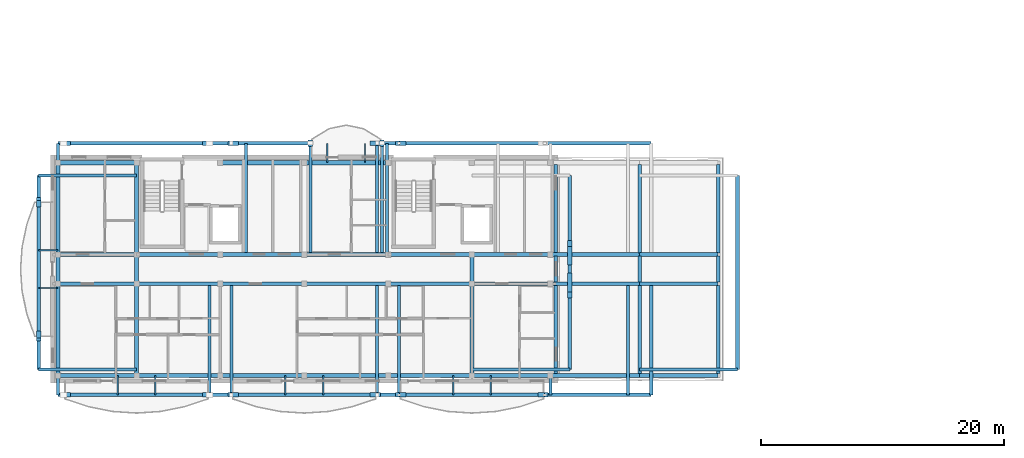
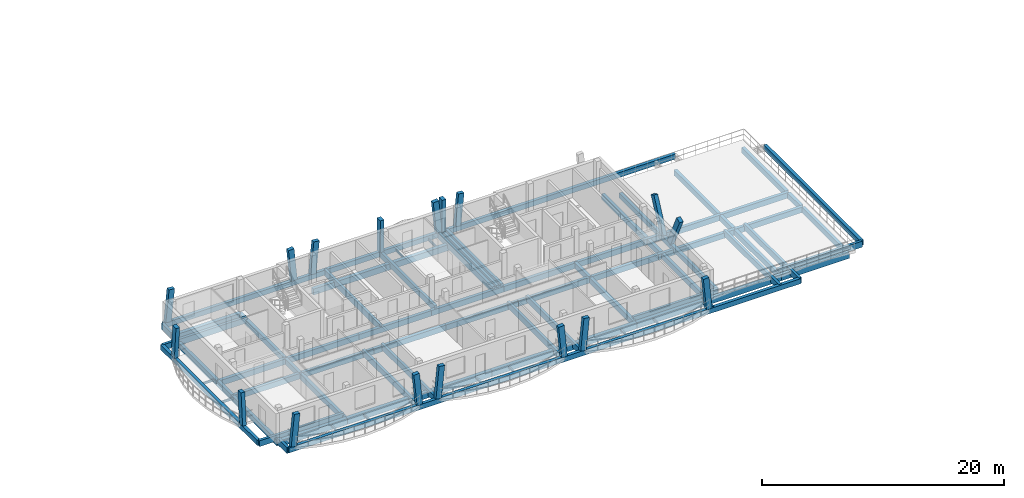
# One storey, part 3 of 33: 77 beams, 17 members.
"""IFC4 building model written with IfcOpenShell, lengths in metres."""

from ifc_helpers import new_model, si_unit, direction, frame, origin, origin_2d, place, context, subcontext, project, spatial, rectangle, i_section, extrude, material, material_profile, profile_set, type_object, element, save


model = new_model("IFC4")

# Units and contexts
model_context = context("Model", 3, precision=1e-05, world=origin(), true_north=direction((0.0, 1.0)))
body_context = subcontext(model_context, "Body", "Model", "MODEL_VIEW")
ifc_project = project(units=[si_unit("LENGTHUNIT", "METRE"), si_unit("AREAUNIT", "SQUARE_METRE"), si_unit("VOLUMEUNIT", "CUBIC_METRE"), si_unit("PLANEANGLEUNIT", "RADIAN"), si_unit("MASSUNIT", "GRAM", prefix="KILO")], contexts=[model_context])

# Site, building, storey
site_placement = place(None, origin())
site = spatial("IfcSite", under=ifc_project, at=site_placement, CompositionType="ELEMENT")
building_placement = place(site_placement, origin())
building = spatial("IfcBuilding", under=site, at=building_placement, Name="Zavelmont Quarter", CompositionType="ELEMENT")
storey_placement = place(building_placement, frame((0.0, 0.0, 30.39990234375)))
storey = spatial("IfcBuildingStorey", under=building, at=storey_placement, Name="L09", CompositionType="ELEMENT", Elevation=30.39990234375)

# Beams
ifc_material_1 = material(Name="Concrete C35/45", Category="concrete")
ifc_material_profile_1 = material_profile(ifc_material_1, rectangle(XDim=0.35009765625, YDim=0.60009765625, at=origin_2d()), Name="RC350X600")
ifc_profile_set_1 = profile_set([ifc_material_profile_1], Name="Concrete C35/45")
beam_type_1 = type_object("IfcBeamType", Name="BM01", PredefinedType="SPANDREL", material=ifc_profile_set_1)
beam_1_placement = place(storey_placement, frame((0.43994140625, 0.43994140625, -0.539794921875), z_axis=(1.0, 0.0, 0.0), x_axis=(0.0, 1.0, 0.0)))
element("IfcBeam", 1, at=beam_1_placement, inside=storey, type_object=beam_type_1, Name="L09 beam BM01 1/A to 2/A", PredefinedType="SPANDREL", context=body_context, shape_type="SweptSolid", body=[
    extrude(rectangle(XDim=0.35009765625, YDim=0.60009765625, at=origin_2d()), origin(), (0.0, 0.0, 1.0), 6.4599609375),
])
beam_2_placement = place(storey_placement, frame((6.89990234375, 0.43994140625, -0.539794921875), z_axis=(1.0, 0.0, 0.0), x_axis=(0.0, 1.0, 0.0)))
element("IfcBeam", 2, at=beam_2_placement, inside=storey, type_object=beam_type_1, Name="L09 beam BM01 2/A to 3/A", PredefinedType="SPANDREL", context=body_context, shape_type="SweptSolid", body=[
    extrude(rectangle(XDim=0.35009765625, YDim=0.60009765625, at=origin_2d()), origin(), (0.0, 0.0, 1.0), 6.900146484375),
])
beam_3_placement = place(storey_placement, frame((13.800048828125, 0.43994140625, -0.539794921875), z_axis=(1.0, 0.0, 0.0), x_axis=(0.0, 1.0, 0.0)))
element("IfcBeam", 3, at=beam_3_placement, inside=storey, type_object=beam_type_1, Name="L09 beam BM01 3/A to 4/A", PredefinedType="SPANDREL", context=body_context, shape_type="SweptSolid", body=[
    extrude(rectangle(XDim=0.35009765625, YDim=0.60009765625, at=origin_2d()), origin(), (0.0, 0.0, 1.0), 6.89990234375),
])
beam_4_placement = place(storey_placement, frame((20.699951171875, 0.43994140625, -0.539794921875), z_axis=(1.0, 0.0, 0.0), x_axis=(0.0, 1.0, 0.0)))
element("IfcBeam", 4, at=beam_4_placement, inside=storey, type_object=beam_type_1, Name="L09 beam BM01 4/A to 5/A", PredefinedType="SPANDREL", context=body_context, shape_type="SweptSolid", body=[
    extrude(rectangle(XDim=0.35009765625, YDim=0.60009765625, at=origin_2d()), origin(), (0.0, 0.0, 1.0), 6.900146484375),
])
beam_5_placement = place(storey_placement, frame((27.60009765625, 0.43994140625, -0.539794921875), z_axis=(1.0, 0.0, 0.0), x_axis=(0.0, 1.0, 0.0)))
element("IfcBeam", 5, at=beam_5_placement, inside=storey, type_object=beam_type_1, Name="L09 beam BM01 5/A to 6/A", PredefinedType="SPANDREL", context=body_context, shape_type="SweptSolid", body=[
    extrude(rectangle(XDim=0.35009765625, YDim=0.60009765625, at=origin_2d()), origin(), (0.0, 0.0, 1.0), 6.89990234375),
])
beam_6_placement = place(storey_placement, frame((34.5, 0.43994140625, -0.539794921875), z_axis=(1.0, 0.0, 0.0), x_axis=(0.0, 1.0, 0.0)))
element("IfcBeam", 6, at=beam_6_placement, inside=storey, type_object=beam_type_1, Name="L09 beam BM01 6/A to 7/A", PredefinedType="SPANDREL", context=body_context, shape_type="SweptSolid", body=[
    extrude(rectangle(XDim=0.35009765625, YDim=0.60009765625, at=origin_2d()), origin(), (0.0, 0.0, 1.0), 6.4599609375),
])
beam_7_placement = place(storey_placement, frame((40.9599609375, 0.43994140625, -0.539794921875), z_axis=(1.0, 0.0, 0.0), x_axis=(0.0, 1.0, 0.0)))
element("IfcBeam", 7, at=beam_7_placement, inside=storey, type_object=beam_type_1, Name="L09 beam BM01 7/A to 8/A", PredefinedType="SPANDREL", context=body_context, shape_type="SweptSolid", body=[
    extrude(rectangle(XDim=0.35009765625, YDim=0.60009765625, at=origin_2d()), origin(), (0.0, 0.0, 1.0), 7.340087890625),
])
for number, where, z_axis, x_axis, name in (
    (8, (48.300048828125, 0.43994140625, -0.539794921875), (1.0, 0.0, 0.0), (0.0, 1.0, 0.0), "L09 beam BM01 8/A to 9/A"),
    (9, (0.43994140625, 17.9599609375, -0.539794921875), (1.0, 0.0, 0.0), (0.0, 1.0, 0.0), "L09 beam BM01 1/D to 2/D"),
):
    element("IfcBeam", number, at=place(storey_placement, frame(where, z_axis=z_axis, x_axis=x_axis)), inside=storey, type_object=beam_type_1, Name=name, PredefinedType="SPANDREL", context=body_context, shape_type="SweptSolid", body=[
        extrude(rectangle(XDim=0.35009765625, YDim=0.60009765625, at=origin_2d()), origin(), (0.0, 0.0, 1.0), 6.4599609375),
    ])
beam_8_placement = place(storey_placement, frame((13.800048828125, 17.9599609375, -0.539794921875), z_axis=(1.0, 0.0, 0.0), x_axis=(0.0, 1.0, 0.0)))
element("IfcBeam", 10, at=beam_8_placement, inside=storey, type_object=beam_type_1, Name="L09 beam BM01 3/D to 4/D", PredefinedType="SPANDREL", context=body_context, shape_type="SweptSolid", body=[
    extrude(rectangle(XDim=0.35009765625, YDim=0.60009765625, at=origin_2d()), origin(), (0.0, 0.0, 1.0), 6.89990234375),
])
beam_9_placement = place(storey_placement, frame((20.699951171875, 17.9599609375, -0.539794921875), z_axis=(1.0, 0.0, 0.0), x_axis=(0.0, 1.0, 0.0)))
element("IfcBeam", 11, at=beam_9_placement, inside=storey, type_object=beam_type_1, Name="L09 beam BM01 4/D to 5/D", PredefinedType="SPANDREL", context=body_context, shape_type="SweptSolid", body=[
    extrude(rectangle(XDim=0.35009765625, YDim=0.60009765625, at=origin_2d()), origin(), (0.0, 0.0, 1.0), 6.900146484375),
])
ifc_material_profile_2 = material_profile(ifc_material_1, rectangle(XDim=0.300048828125, YDim=0.550048828125, at=origin_2d()), Name="RC300X550")
ifc_profile_set_2 = profile_set([ifc_material_profile_2], Name="Concrete C35/45")
beam_type_2 = type_object("IfcBeamType", Name="BM02", PredefinedType="SPANDREL", material=ifc_profile_set_2)
beam_10_placement = place(storey_placement, frame((0.43994140625, 8.0, -0.514892578125), z_axis=(1.0, 0.0, 0.0), x_axis=(0.0, 1.0, 0.0)))
element("IfcBeam", 12, at=beam_10_placement, inside=storey, type_object=beam_type_2, Name="L09 beam BM02 1/B to 2/B", PredefinedType="SPANDREL", context=body_context, shape_type="SweptSolid", body=[
    extrude(rectangle(XDim=0.300048828125, YDim=0.550048828125, at=origin_2d()), origin(), (0.0, 0.0, 1.0), 6.4599609375),
])
beam_11_placement = place(storey_placement, frame((6.89990234375, 8.0, -0.514892578125), z_axis=(1.0, 0.0, 0.0), x_axis=(0.0, 1.0, 0.0)))
element("IfcBeam", 13, at=beam_11_placement, inside=storey, type_object=beam_type_2, Name="L09 beam BM02 2/B to 3/B", PredefinedType="SPANDREL", context=body_context, shape_type="SweptSolid", body=[
    extrude(rectangle(XDim=0.300048828125, YDim=0.550048828125, at=origin_2d()), origin(), (0.0, 0.0, 1.0), 6.900146484375),
])
beam_12_placement = place(storey_placement, frame((13.800048828125, 8.0, -0.514892578125), z_axis=(1.0, 0.0, 0.0), x_axis=(0.0, 1.0, 0.0)))
element("IfcBeam", 14, at=beam_12_placement, inside=storey, type_object=beam_type_2, Name="L09 beam BM02 3/B to 4/B", PredefinedType="SPANDREL", context=body_context, shape_type="SweptSolid", body=[
    extrude(rectangle(XDim=0.300048828125, YDim=0.550048828125, at=origin_2d()), origin(), (0.0, 0.0, 1.0), 6.89990234375),
])
beam_13_placement = place(storey_placement, frame((20.699951171875, 8.0, -0.514892578125), z_axis=(1.0, 0.0, 0.0), x_axis=(0.0, 1.0, 0.0)))
element("IfcBeam", 15, at=beam_13_placement, inside=storey, type_object=beam_type_2, Name="L09 beam BM02 4/B to 5/B", PredefinedType="SPANDREL", context=body_context, shape_type="SweptSolid", body=[
    extrude(rectangle(XDim=0.300048828125, YDim=0.550048828125, at=origin_2d()), origin(), (0.0, 0.0, 1.0), 6.900146484375),
])
beam_14_placement = place(storey_placement, frame((27.60009765625, 8.0, -0.514892578125), z_axis=(1.0, 0.0, 0.0), x_axis=(0.0, 1.0, 0.0)))
element("IfcBeam", 16, at=beam_14_placement, inside=storey, type_object=beam_type_2, Name="L09 beam BM02 5/B to 6/B", PredefinedType="SPANDREL", context=body_context, shape_type="SweptSolid", body=[
    extrude(rectangle(XDim=0.300048828125, YDim=0.550048828125, at=origin_2d()), origin(), (0.0, 0.0, 1.0), 6.89990234375),
])
beam_15_placement = place(storey_placement, frame((34.5, 8.0, -0.514892578125), z_axis=(1.0, 0.0, 0.0), x_axis=(0.0, 1.0, 0.0)))
element("IfcBeam", 17, at=beam_15_placement, inside=storey, type_object=beam_type_2, Name="L09 beam BM02 6/B to 7/B", PredefinedType="SPANDREL", context=body_context, shape_type="SweptSolid", body=[
    extrude(rectangle(XDim=0.300048828125, YDim=0.550048828125, at=origin_2d()), origin(), (0.0, 0.0, 1.0), 6.4599609375),
])
beam_16_placement = place(storey_placement, frame((40.9599609375, 8.0, -0.514892578125), z_axis=(1.0, 0.0, 0.0), x_axis=(0.0, 1.0, 0.0)))
element("IfcBeam", 18, at=beam_16_placement, inside=storey, type_object=beam_type_2, Name="L09 beam BM02 7/B to 8/B", PredefinedType="SPANDREL", context=body_context, shape_type="SweptSolid", body=[
    extrude(rectangle(XDim=0.300048828125, YDim=0.550048828125, at=origin_2d()), origin(), (0.0, 0.0, 1.0), 7.340087890625),
])
for number, where, z_axis, x_axis, name in (
    (19, (48.300048828125, 8.0, -0.514892578125), (1.0, 0.0, 0.0), (0.0, 1.0, 0.0), "L09 beam BM02 8/B to 9/B"),
    (20, (0.43994140625, 10.39990234375, -0.514892578125), (1.0, 0.0, 0.0), (0.0, 1.0, 0.0), "L09 beam BM02 1/C to 2/C"),
):
    element("IfcBeam", number, at=place(storey_placement, frame(where, z_axis=z_axis, x_axis=x_axis)), inside=storey, type_object=beam_type_2, Name=name, PredefinedType="SPANDREL", context=body_context, shape_type="SweptSolid", body=[
        extrude(rectangle(XDim=0.300048828125, YDim=0.550048828125, at=origin_2d()), origin(), (0.0, 0.0, 1.0), 6.4599609375),
    ])
beam_17_placement = place(storey_placement, frame((6.89990234375, 10.39990234375, -0.514892578125), z_axis=(1.0, 0.0, 0.0), x_axis=(0.0, 1.0, 0.0)))
element("IfcBeam", 21, at=beam_17_placement, inside=storey, type_object=beam_type_2, Name="L09 beam BM02 2/C to 3/C", PredefinedType="SPANDREL", context=body_context, shape_type="SweptSolid", body=[
    extrude(rectangle(XDim=0.300048828125, YDim=0.550048828125, at=origin_2d()), origin(), (0.0, 0.0, 1.0), 6.900146484375),
])
beam_18_placement = place(storey_placement, frame((13.800048828125, 10.39990234375, -0.514892578125), z_axis=(1.0, 0.0, 0.0), x_axis=(0.0, 1.0, 0.0)))
element("IfcBeam", 22, at=beam_18_placement, inside=storey, type_object=beam_type_2, Name="L09 beam BM02 3/C to 4/C", PredefinedType="SPANDREL", context=body_context, shape_type="SweptSolid", body=[
    extrude(rectangle(XDim=0.300048828125, YDim=0.550048828125, at=origin_2d()), origin(), (0.0, 0.0, 1.0), 6.89990234375),
])
beam_19_placement = place(storey_placement, frame((20.699951171875, 10.39990234375, -0.514892578125), z_axis=(1.0, 0.0, 0.0), x_axis=(0.0, 1.0, 0.0)))
element("IfcBeam", 23, at=beam_19_placement, inside=storey, type_object=beam_type_2, Name="L09 beam BM02 4/C to 5/C", PredefinedType="SPANDREL", context=body_context, shape_type="SweptSolid", body=[
    extrude(rectangle(XDim=0.300048828125, YDim=0.550048828125, at=origin_2d()), origin(), (0.0, 0.0, 1.0), 6.900146484375),
])
beam_20_placement = place(storey_placement, frame((27.60009765625, 10.39990234375, -0.514892578125), z_axis=(1.0, 0.0, 0.0), x_axis=(0.0, 1.0, 0.0)))
element("IfcBeam", 24, at=beam_20_placement, inside=storey, type_object=beam_type_2, Name="L09 beam BM02 5/C to 6/C", PredefinedType="SPANDREL", context=body_context, shape_type="SweptSolid", body=[
    extrude(rectangle(XDim=0.300048828125, YDim=0.550048828125, at=origin_2d()), origin(), (0.0, 0.0, 1.0), 6.89990234375),
])
beam_21_placement = place(storey_placement, frame((34.5, 10.39990234375, -0.514892578125), z_axis=(1.0, 0.0, 0.0), x_axis=(0.0, 1.0, 0.0)))
element("IfcBeam", 25, at=beam_21_placement, inside=storey, type_object=beam_type_2, Name="L09 beam BM02 6/C to 7/C", PredefinedType="SPANDREL", context=body_context, shape_type="SweptSolid", body=[
    extrude(rectangle(XDim=0.300048828125, YDim=0.550048828125, at=origin_2d()), origin(), (0.0, 0.0, 1.0), 6.4599609375),
])
beam_22_placement = place(storey_placement, frame((40.9599609375, 10.39990234375, -0.514892578125), z_axis=(1.0, 0.0, 0.0), x_axis=(0.0, 1.0, 0.0)))
element("IfcBeam", 26, at=beam_22_placement, inside=storey, type_object=beam_type_2, Name="L09 beam BM02 7/C to 8/C", PredefinedType="SPANDREL", context=body_context, shape_type="SweptSolid", body=[
    extrude(rectangle(XDim=0.300048828125, YDim=0.550048828125, at=origin_2d()), origin(), (0.0, 0.0, 1.0), 7.340087890625),
])
beam_23_placement = place(storey_placement, frame((48.300048828125, 10.39990234375, -0.514892578125), z_axis=(1.0, 0.0, 0.0), x_axis=(0.0, 1.0, 0.0)))
element("IfcBeam", 27, at=beam_23_placement, inside=storey, type_object=beam_type_2, Name="L09 beam BM02 8/C to 9/C", PredefinedType="SPANDREL", context=body_context, shape_type="SweptSolid", body=[
    extrude(rectangle(XDim=0.300048828125, YDim=0.550048828125, at=origin_2d()), origin(), (0.0, 0.0, 1.0), 6.4599609375),
])
beam_24_placement = place(storey_placement, frame((0.43994140625, 0.43994140625, -0.514892578125), z_axis=(0.0, 1.0, 0.0), x_axis=(-1.0, 0.0, 0.0)))
element("IfcBeam", 28, at=beam_24_placement, inside=storey, type_object=beam_type_2, Name="L09 beam BM02 1/A to 1/B", PredefinedType="SPANDREL", context=body_context, shape_type="SweptSolid", body=[
    extrude(rectangle(XDim=0.300048828125, YDim=0.550048828125, at=origin_2d()), origin(), (0.0, 0.0, 1.0), 7.56005859375),
])
beam_25_placement = place(storey_placement, frame((0.43994140625, 8.0, -0.514892578125), z_axis=(0.0, 1.0, 0.0), x_axis=(-1.0, 0.0, 0.0)))
element("IfcBeam", 29, at=beam_25_placement, inside=storey, type_object=beam_type_2, Name="L09 beam BM02 1/B to 1/C", PredefinedType="SPANDREL", context=body_context, shape_type="SweptSolid", body=[
    extrude(rectangle(XDim=0.300048828125, YDim=0.550048828125, at=origin_2d()), origin(), (0.0, 0.0, 1.0), 2.39990234375),
])
for number, where, z_axis, x_axis, name in (
    (30, (0.43994140625, 10.39990234375, -0.514892578125), (0.0, 1.0, 0.0), (-1.0, 0.0, 0.0), "L09 beam BM02 1/C to 1/D"),
    (31, (6.89990234375, 0.43994140625, -0.514892578125), (0.0, 1.0, 0.0), (-1.0, 0.0, 0.0), "L09 beam BM02 2/A to 2/B"),
):
    element("IfcBeam", number, at=place(storey_placement, frame(where, z_axis=z_axis, x_axis=x_axis)), inside=storey, type_object=beam_type_2, Name=name, PredefinedType="SPANDREL", context=body_context, shape_type="SweptSolid", body=[
        extrude(rectangle(XDim=0.300048828125, YDim=0.550048828125, at=origin_2d()), origin(), (0.0, 0.0, 1.0), 7.56005859375),
    ])
beam_26_placement = place(storey_placement, frame((6.89990234375, 8.0, -0.514892578125), z_axis=(0.0, 1.0, 0.0), x_axis=(-1.0, 0.0, 0.0)))
element("IfcBeam", 32, at=beam_26_placement, inside=storey, type_object=beam_type_2, Name="L09 beam BM02 2/B to 2/C", PredefinedType="SPANDREL", context=body_context, shape_type="SweptSolid", body=[
    extrude(rectangle(XDim=0.300048828125, YDim=0.550048828125, at=origin_2d()), origin(), (0.0, 0.0, 1.0), 2.39990234375),
])
for number, where, z_axis, x_axis, name in (
    (33, (6.89990234375, 10.39990234375, -0.514892578125), (0.0, 1.0, 0.0), (-1.0, 0.0, 0.0), "L09 beam BM02 2/C to 2/D"),
    (34, (34.5, 0.43994140625, -0.514892578125), (0.0, 1.0, 0.0), (-1.0, 0.0, 0.0), "L09 beam BM02 6/A to 6/B"),
):
    element("IfcBeam", number, at=place(storey_placement, frame(where, z_axis=z_axis, x_axis=x_axis)), inside=storey, type_object=beam_type_2, Name=name, PredefinedType="SPANDREL", context=body_context, shape_type="SweptSolid", body=[
        extrude(rectangle(XDim=0.300048828125, YDim=0.550048828125, at=origin_2d()), origin(), (0.0, 0.0, 1.0), 7.56005859375),
    ])
beam_27_placement = place(storey_placement, frame((34.5, 8.0, -0.514892578125), z_axis=(0.0, 1.0, 0.0), x_axis=(-1.0, 0.0, 0.0)))
element("IfcBeam", 35, at=beam_27_placement, inside=storey, type_object=beam_type_2, Name="L09 beam BM02 6/B to 6/C", PredefinedType="SPANDREL", context=body_context, shape_type="SweptSolid", body=[
    extrude(rectangle(XDim=0.300048828125, YDim=0.550048828125, at=origin_2d()), origin(), (0.0, 0.0, 1.0), 2.39990234375),
])
beam_28_placement = place(storey_placement, frame((41.39990234375, 0.60498046875, -0.514892578125), z_axis=(0.0, 1.0, 0.0), x_axis=(-1.0, 0.0, 0.0)))
element("IfcBeam", 36, at=beam_28_placement, inside=storey, type_object=beam_type_2, Name="L09 beam BM02 7/A to 7/B", PredefinedType="SPANDREL", context=body_context, shape_type="SweptSolid", body=[
    extrude(rectangle(XDim=0.300048828125, YDim=0.550048828125, at=origin_2d()), origin(), (0.0, 0.0, 1.0), 7.255126953125),
])
beam_29_placement = place(storey_placement, frame((41.39990234375, 8.139892578125, -0.514892578125), z_axis=(0.0, 1.0, 0.0), x_axis=(-1.0, 0.0, 0.0)))
element("IfcBeam", 37, at=beam_29_placement, inside=storey, type_object=beam_type_2, Name="L09 beam BM02 7/B to 7/C", PredefinedType="SPANDREL", context=body_context, shape_type="SweptSolid", body=[
    extrude(rectangle(XDim=0.300048828125, YDim=0.550048828125, at=origin_2d()), origin(), (0.0, 0.0, 1.0), 2.1201171875),
])
beam_30_placement = place(storey_placement, frame((41.39990234375, 10.5400390625, -0.514892578125), z_axis=(0.0, 1.0, 0.0), x_axis=(-1.0, 0.0, 0.0)))
element("IfcBeam", 38, at=beam_30_placement, inside=storey, type_object=beam_type_2, Name="L09 beam BM02 7/C to 7/D", PredefinedType="SPANDREL", context=body_context, shape_type="SweptSolid", body=[
    extrude(rectangle(XDim=0.300048828125, YDim=0.550048828125, at=origin_2d()), origin(), (0.0, 0.0, 1.0), 7.2548828125),
])
beam_31_placement = place(storey_placement, frame((48.300048828125, 0.60498046875, -0.514892578125), z_axis=(0.0, 1.0, 0.0), x_axis=(-1.0, 0.0, 0.0)))
element("IfcBeam", 39, at=beam_31_placement, inside=storey, type_object=beam_type_2, Name="L09 beam BM02 8/A to 8/B", PredefinedType="SPANDREL", context=body_context, shape_type="SweptSolid", body=[
    extrude(rectangle(XDim=0.300048828125, YDim=0.550048828125, at=origin_2d()), origin(), (0.0, 0.0, 1.0), 7.255126953125),
])
beam_32_placement = place(storey_placement, frame((48.300048828125, 8.139892578125, -0.514892578125), z_axis=(0.0, 1.0, 0.0), x_axis=(-1.0, 0.0, 0.0)))
element("IfcBeam", 40, at=beam_32_placement, inside=storey, type_object=beam_type_2, Name="L09 beam BM02 8/B to 8/C", PredefinedType="SPANDREL", context=body_context, shape_type="SweptSolid", body=[
    extrude(rectangle(XDim=0.300048828125, YDim=0.550048828125, at=origin_2d()), origin(), (0.0, 0.0, 1.0), 2.1201171875),
])
beam_33_placement = place(storey_placement, frame((48.300048828125, 10.5400390625, -0.514892578125), z_axis=(0.0, 1.0, 0.0), x_axis=(-1.0, 0.0, 0.0)))
element("IfcBeam", 41, at=beam_33_placement, inside=storey, type_object=beam_type_2, Name="L09 beam BM02 8/C to 8/D", PredefinedType="SPANDREL", context=body_context, shape_type="SweptSolid", body=[
    extrude(rectangle(XDim=0.300048828125, YDim=0.550048828125, at=origin_2d()), origin(), (0.0, 0.0, 1.0), 7.2548828125),
])
beam_34_placement = place(storey_placement, frame((54.760009765625, 0.60498046875, -0.514892578125), z_axis=(0.0, 1.0, 0.0), x_axis=(-1.0, 0.0, 0.0)))
element("IfcBeam", 42, at=beam_34_placement, inside=storey, type_object=beam_type_2, Name="L09 beam BM02 9/A to 9/B", PredefinedType="SPANDREL", context=body_context, shape_type="SweptSolid", body=[
    extrude(rectangle(XDim=0.300048828125, YDim=0.550048828125, at=origin_2d()), origin(), (0.0, 0.0, 1.0), 7.255126953125),
])
beam_35_placement = place(storey_placement, frame((54.760009765625, 8.139892578125, -0.514892578125), z_axis=(0.0, 1.0, 0.0), x_axis=(-1.0, 0.0, 0.0)))
element("IfcBeam", 43, at=beam_35_placement, inside=storey, type_object=beam_type_2, Name="L09 beam BM02 9/B to 9/C", PredefinedType="SPANDREL", context=body_context, shape_type="SweptSolid", body=[
    extrude(rectangle(XDim=0.300048828125, YDim=0.550048828125, at=origin_2d()), origin(), (0.0, 0.0, 1.0), 2.1201171875),
])
beam_36_placement = place(storey_placement, frame((54.760009765625, 10.5400390625, -0.514892578125), z_axis=(0.0, 1.0, 0.0), x_axis=(-1.0, 0.0, 0.0)))
element("IfcBeam", 44, at=beam_36_placement, inside=storey, type_object=beam_type_2, Name="L09 beam BM02 9/C to 9/D", PredefinedType="SPANDREL", context=body_context, shape_type="SweptSolid", body=[
    extrude(rectangle(XDim=0.300048828125, YDim=0.550048828125, at=origin_2d()), origin(), (0.0, 0.0, 1.0), 7.2548828125),
])
ifc_material_profile_3 = material_profile(ifc_material_1, rectangle(XDim=0.300048828125, YDim=0.5, at=origin_2d()), Name="RC300X500")
ifc_profile_set_3 = profile_set([ifc_material_profile_3], Name="Concrete C35/45")
beam_type_3 = type_object("IfcBeamType", Name="BM03", PredefinedType="BEAM", material=ifc_profile_set_3)
for number, where, z_axis, x_axis, name in (
    (45, (0.43994140625, -1.14990234375, -0.25), (1.0, 0.0, 0.0), (0.0, 1.0, 0.0), "L09 beam BM03 1/A to 8/A"),
    (46, (0.43994140625, 19.550048828125, -0.25), (1.0, 0.0, 0.0), (0.0, 1.0, 0.0), "L09 beam BM03 1/D to 8/D"),
):
    element("IfcBeam", number, at=place(storey_placement, frame(where, z_axis=z_axis, x_axis=x_axis)), inside=storey, type_object=beam_type_3, Name=name, PredefinedType="BEAM", context=body_context, shape_type="SweptSolid", body=[
        extrude(rectangle(XDim=0.300048828125, YDim=0.5, at=origin_2d()), origin(), (0.0, 0.0, 1.0), 48.81005859375),
    ])
for number, where, z_axis, x_axis, name in (
    (47, (-1.14990234375, 0.949951171875, -0.25), (0.0, 1.0, 0.0), (-1.0, 0.0, 0.0), "L09 beam BM03 1/A to 1/D"),
    (48, (56.35009765625, 0.949951171875, -0.25), (0.0, 1.0, 0.0), (-1.0, 0.0, 0.0), "L09 beam BM03 9/A to 9/D"),
    (49, (42.550048828125, 0.949951171875, -0.25), (0.0, 1.0, 0.0), (-1.0, 0.0, 0.0), "L09 beam BM03 7/A to 7/D"),
):
    element("IfcBeam", number, at=place(storey_placement, frame(where, z_axis=z_axis, x_axis=x_axis)), inside=storey, type_object=beam_type_3, Name=name, PredefinedType="BEAM", context=body_context, shape_type="SweptSolid", body=[
        extrude(rectangle(XDim=0.300048828125, YDim=0.5, at=origin_2d()), origin(), (0.0, 0.0, 1.0), 15.949951171875),
    ])
ifc_material_2 = material(Name="Steel S355", Category="steel")
ifc_material_profile_4 = material_profile(ifc_material_2, i_section(OverallWidth=0.110107421875, OverallDepth=0.219970703125, WebThickness=0.005859375, FlangeThickness=0.00927734375, at=origin_2d()), Name="IPE 220")
ifc_profile_set_4 = profile_set([ifc_material_profile_4], Name="Steel S355")
beam_type_4 = type_object("IfcBeamType", Name="BM15", PredefinedType="JOIST", material=ifc_profile_set_4)
for number, where, z_axis, x_axis, name in (
    (50, (5.35009765625, 0.43994140625, -0.35693359375), (0.0, -1.0, 0.0), (1.0, 0.0, 0.0), "L09 beam BM15 2/A to 2/A"),
    (51, (8.449951171875, 0.43994140625, -0.35693359375), (0.0, -1.0, 0.0), (1.0, 0.0, 0.0), "L09 beam BM15 2/A to 2/A"),
    (52, (19.14990234375, 0.43994140625, -0.351806640625), (0.0, -1.0, 0.0), (1.0, 0.0, 0.0), "L09 beam BM15 4/A to 4/A"),
    (53, (22.25, 0.43994140625, -0.351806640625), (0.0, -1.0, 0.0), (1.0, 0.0, 0.0), "L09 beam BM15 4/A to 4/A"),
    (54, (32.949951171875, 0.43994140625, -0.366943359375), (0.0, -1.0, 0.0), (1.0, 0.0, 0.0), "L09 beam BM15 6/A to 6/A"),
    (55, (36.050048828125, 0.43994140625, -0.366943359375), (0.0, -1.0, 0.0), (1.0, 0.0, 0.0), "L09 beam BM15 6/A to 6/A"),
    (56, (0.43994140625, 7.64990234375, -0.351806640625), (-1.0, 0.0, 0.0), (0.0, -1.0, 0.0), "L09 beam BM15 1/B to 1/B"),
    (57, (0.43994140625, 10.75, -0.351806640625), (-1.0, 0.0, 0.0), (0.0, -1.0, 0.0), "L09 beam BM15 1/C to 1/C"),
):
    element("IfcBeam", number, at=place(storey_placement, frame(where, z_axis=z_axis, x_axis=x_axis)), inside=storey, type_object=beam_type_4, Name=name, PredefinedType="JOIST", context=body_context, shape_type="SweptSolid", body=[
        extrude(i_section(OverallWidth=0.110107421875, OverallDepth=0.219970703125, WebThickness=0.005859375, FlangeThickness=0.00927734375, at=origin_2d()), origin(), (0.0, 0.0, 1.0), 1.58984375),
    ])
for number, where, z_axis, x_axis, name in (
    (58, (22.60009765625, 17.9599609375, -0.35693359375), (0.0, 1.0, 0.0), (-1.0, 0.0, 0.0), "L09 beam BM15 4/D to 4/D"),
    (59, (25.699951171875, 17.9599609375, -0.35693359375), (0.0, 1.0, 0.0), (-1.0, 0.0, 0.0), "L09 beam BM15 5/D to 5/D"),
):
    element("IfcBeam", number, at=place(storey_placement, frame(where, z_axis=z_axis, x_axis=x_axis)), inside=storey, type_object=beam_type_4, Name=name, PredefinedType="JOIST", context=body_context, shape_type="SweptSolid", body=[
        extrude(i_section(OverallWidth=0.110107421875, OverallDepth=0.219970703125, WebThickness=0.005859375, FlangeThickness=0.00927734375, at=origin_2d()), origin(), (0.0, 0.0, 1.0), 1.590087890625),
    ])
ifc_material_3 = material(Name="Concrete C40/50", Category="concrete")
ifc_material_profile_5 = material_profile(ifc_material_3, rectangle(XDim=0.25, YDim=0.60009765625, at=origin_2d()), Name="RC250X600")
ifc_profile_set_5 = profile_set([ifc_material_profile_5], Name="Concrete C40/50")
beam_type_5 = type_object("IfcBeamType", Name="BM18", PredefinedType="BEAM", material=ifc_profile_set_5)
beam_37_placement = place(storey_placement, frame((0.43994140625, 0.43994140625, -0.2998046875), z_axis=(0.0, -1.0, 0.0), x_axis=(1.0, 0.0, 0.0)))
element("IfcBeam", 60, at=beam_37_placement, inside=storey, type_object=beam_type_5, Name="L09 beam BM18 1/A to 1/A", PredefinedType="BEAM", context=body_context, shape_type="SweptSolid", body=[
    extrude(rectangle(XDim=0.25, YDim=0.60009765625, at=origin_2d()), origin(), (0.0, 0.0, 1.0), 1.58984375),
])
for number, where, z_axis, x_axis, name in (
    (61, (12.9033203125, 8.0, -0.2998046875), (0.0, -1.0, 0.0), (1.0, 0.0, 0.0), "L09 beam BM18 3/B to 3/A"),
    (62, (14.696533203125, 8.0, -0.2998046875), (0.0, -1.0, 0.0), (1.0, 0.0, 0.0), "L09 beam BM18 3/B to 3/A"),
    (63, (26.703369140625, 8.0, -0.2998046875), (0.0, -1.0, 0.0), (1.0, 0.0, 0.0), "L09 beam BM18 5/B to 5/A"),
    (64, (28.49658203125, 8.0, -0.2998046875), (0.0, -1.0, 0.0), (1.0, 0.0, 0.0), "L09 beam BM18 5/B to 5/A"),
):
    element("IfcBeam", number, at=place(storey_placement, frame(where, z_axis=z_axis, x_axis=x_axis)), inside=storey, type_object=beam_type_5, Name=name, PredefinedType="BEAM", context=body_context, shape_type="SweptSolid", body=[
        extrude(rectangle(XDim=0.25, YDim=0.60009765625, at=origin_2d()), origin(), (0.0, 0.0, 1.0), 9.14990234375),
    ])
beam_38_placement = place(storey_placement, frame((40.9599609375, 0.43994140625, -0.2998046875), z_axis=(0.0, -1.0, 0.0), x_axis=(1.0, 0.0, 0.0)))
element("IfcBeam", 65, at=beam_38_placement, inside=storey, type_object=beam_type_5, Name="L09 beam BM18 7/A to 7/A", PredefinedType="BEAM", context=body_context, shape_type="SweptSolid", body=[
    extrude(rectangle(XDim=0.25, YDim=0.60009765625, at=origin_2d()), origin(), (0.0, 0.0, 1.0), 1.58984375),
])
for number, where, z_axis, x_axis, name in (
    (66, (47.35009765625, 8.0, -0.2998046875), (0.0, -1.0, 0.0), (1.0, 0.0, 0.0), "L09 beam BM18 8/B to 8/A"),
    (67, (49.25, 8.0, -0.2998046875), (0.0, -1.0, 0.0), (1.0, 0.0, 0.0), "L09 beam BM18 8/B to 8/A"),
):
    element("IfcBeam", number, at=place(storey_placement, frame(where, z_axis=z_axis, x_axis=x_axis)), inside=storey, type_object=beam_type_5, Name=name, PredefinedType="BEAM", context=body_context, shape_type="SweptSolid", body=[
        extrude(rectangle(XDim=0.25, YDim=0.60009765625, at=origin_2d()), origin(), (0.0, 0.0, 1.0), 9.14990234375),
    ])
beam_39_placement = place(storey_placement, frame((0.43994140625, 17.9599609375, -0.2998046875), z_axis=(0.0, 1.0, 0.0), x_axis=(-1.0, 0.0, 0.0)))
element("IfcBeam", 68, at=beam_39_placement, inside=storey, type_object=beam_type_5, Name="L09 beam BM18 1/D to 1/D", PredefinedType="BEAM", context=body_context, shape_type="SweptSolid", body=[
    extrude(rectangle(XDim=0.25, YDim=0.60009765625, at=origin_2d()), origin(), (0.0, 0.0, 1.0), 1.590087890625),
])
for number, where, z_axis, x_axis, name in (
    (69, (15.925048828125, 10.39990234375, -0.2998046875), (0.0, 1.0, 0.0), (-1.0, 0.0, 0.0), "L09 beam BM18 3/C to 3/D"),
    (70, (26.703369140625, 10.39990234375, -0.2998046875), (0.0, 1.0, 0.0), (-1.0, 0.0, 0.0), "L09 beam BM18 5/C to 5/D"),
    (71, (27.5, 10.39990234375, -0.2998046875), (0.0, 1.0, 0.0), (-1.0, 0.0, 0.0), "L09 beam BM18 5/C to 5/D"),
    (72, (21.199951171875, 10.39990234375, -0.2998046875), (0.0, 1.0, 0.0), (-1.0, 0.0, 0.0), "L09 beam BM18 4/C to 4/D"),
    (73, (27.10009765625, 10.39990234375, -0.2998046875), (0.0, 1.0, 0.0), (-1.0, 0.0, 0.0), "L09 beam BM18 5/C to 5/D"),
):
    element("IfcBeam", number, at=place(storey_placement, frame(where, z_axis=z_axis, x_axis=x_axis)), inside=storey, type_object=beam_type_5, Name=name, PredefinedType="BEAM", context=body_context, shape_type="SweptSolid", body=[
        extrude(rectangle(XDim=0.25, YDim=0.60009765625, at=origin_2d()), origin(), (0.0, 0.0, 1.0), 9.150146484375),
    ])
for number, where, z_axis, x_axis, name in (
    (74, (6.89990234375, 0.949951171875, -0.2998046875), (-1.0, 0.0, 0.0), (0.0, -1.0, 0.0), "L09 beam BM18 2/A to 1/A"),
    (75, (6.89990234375, 16.89990234375, -0.2998046875), (-1.0, 0.0, 0.0), (0.0, -1.0, 0.0), "L09 beam BM18 2/D to 1/D"),
):
    element("IfcBeam", number, at=place(storey_placement, frame(where, z_axis=z_axis, x_axis=x_axis)), inside=storey, type_object=beam_type_5, Name=name, PredefinedType="BEAM", context=body_context, shape_type="SweptSolid", body=[
        extrude(rectangle(XDim=0.25, YDim=0.60009765625, at=origin_2d()), origin(), (0.0, 0.0, 1.0), 8.0498046875),
    ])
for number, where, z_axis, x_axis, name in (
    (76, (48.300048828125, 0.949951171875, -0.2998046875), (1.0, 0.0, 0.0), (0.0, 1.0, 0.0), "L09 beam BM18 8/A to 9/A"),
    (77, (34.5, 0.949951171875, -0.2998046875), (1.0, 0.0, 0.0), (0.0, 1.0, 0.0), "L09 beam BM18 6/A to 7/A"),
):
    element("IfcBeam", number, at=place(storey_placement, frame(where, z_axis=z_axis, x_axis=x_axis)), inside=storey, type_object=beam_type_5, Name=name, PredefinedType="BEAM", context=body_context, shape_type="SweptSolid", body=[
        extrude(rectangle(XDim=0.25, YDim=0.60009765625, at=origin_2d()), origin(), (0.0, 0.0, 1.0), 8.050048828125),
    ])

# Members
ifc_material_4 = material(Name="White architectural precast concrete C40/50", Category="concrete")
ifc_material_profile_6 = material_profile(ifc_material_4, rectangle(XDim=0.360107421875, YDim=0.5400390625, at=origin_2d()), Name="PCR280X420")
ifc_profile_set_6 = profile_set([ifc_material_profile_6], Name="White architectural precast concrete C40/50")
member_type = type_object("IfcMemberType", Name="VR02M", PredefinedType="CHORD", material=ifc_profile_set_6)
for number, where, z_axis, x_axis, name in (
    (78, (0.896484375, -1.14990234375, 0.0), (0.096059666286, 0.0, 0.995375577615), (0.0, 1.0, 0.0), "L09 member VR02M 1/A to 1/A"),
    (79, (12.9033203125, -1.14990234375, 0.0), (-0.095984429669, 0.0, 0.995382835527), (0.0, -1.0, 0.0), "L09 member VR02M 3/A to 3/A"),
    (80, (14.696533203125, -1.14990234375, 0.0), (0.096059666286, 0.0, 0.995375577615), (0.0, 1.0, 0.0), "L09 member VR02M 3/A to 3/A"),
    (81, (26.703369140625, -1.14990234375, 0.0), (-0.095984429669, 0.0, 0.995382835527), (0.0, -1.0, 0.0), "L09 member VR02M 5/A to 5/A"),
    (82, (28.49658203125, -1.14990234375, 0.0), (0.096059666286, 0.0, 0.995375577615), (0.0, 1.0, 0.0), "L09 member VR02M 5/A to 5/A"),
    (83, (40.50341796875, -1.14990234375, 0.0), (-0.096059666286, 0.0, 0.995375577615), (0.0, -1.0, 0.0), "L09 member VR02M 7/A to 7/A"),
    (84, (0.896484375, 19.550048828125, 0.0), (0.096059666286, 0.0, 0.995375577615), (0.0, 1.0, 0.0), "L09 member VR02M 1/D to 1/D"),
    (85, (12.9033203125, 19.550048828125, 0.0), (-0.095984429669, 0.0, 0.995382835527), (0.0, -1.0, 0.0), "L09 member VR02M 3/D to 3/D"),
    (86, (14.696533203125, 19.550048828125, 0.0), (0.096059666286, 0.0, 0.995375577615), (0.0, 1.0, 0.0), "L09 member VR02M 3/D to 3/D"),
    (87, (26.703369140625, 19.550048828125, 0.0), (-0.095984429669, 0.0, 0.995382835527), (0.0, -1.0, 0.0), "L09 member VR02M 5/D to 5/D"),
    (88, (28.49658203125, 19.550048828125, 0.0), (0.096059666286, 0.0, 0.995375577615), (0.0, 1.0, 0.0), "L09 member VR02M 5/D to 5/D"),
):
    element("IfcMember", number, at=place(storey_placement, frame(where, z_axis=z_axis, x_axis=x_axis)), inside=storey, type_object=member_type, Name=name, PredefinedType="CHORD", context=body_context, shape_type="SweptSolid", body=[
        extrude(rectangle(XDim=0.360107421875, YDim=0.5400390625, at=origin_2d()), origin(), (0.0, 0.0, 1.0), 3.215087890625),
    ])
for number, where, z_axis, x_axis, name in (
    (89, (21.199951171875, 19.550048828125, 0.0), (0.0, 0.0, 1.0), (1.0, 0.0, 0.0), "L09 member VR02M 4/D to 4/D"),
    (90, (27.10009765625, 19.550048828125, 0.0), (0.0, 0.0, 1.0), (1.0, 0.0, 0.0), "L09 member VR02M 5/D to 5/D"),
):
    element("IfcMember", number, at=place(storey_placement, frame(where, z_axis=z_axis, x_axis=x_axis)), inside=storey, type_object=member_type, Name=name, PredefinedType="CHORD", context=body_context, shape_type="SweptSolid", body=[
        extrude(rectangle(XDim=0.360107421875, YDim=0.5400390625, at=origin_2d()), origin(), (0.0, 0.0, 1.0), 3.2001953125),
    ])
for number, where, z_axis, x_axis, name in (
    (91, (-1.14990234375, 3.567138671875, 0.0), (0.0, 0.07886557934, 0.996885259393), (-1.0, 0.0, 0.0), "L09 member VR02M 1/A to 1/A"),
    (92, (-1.14990234375, 14.8330078125, 0.0), (0.0, -0.07886557934, 0.996885259393), (1.0, 0.0, 0.0), "L09 member VR02M 1/D to 1/D"),
):
    element("IfcMember", number, at=place(storey_placement, frame(where, z_axis=z_axis, x_axis=x_axis)), inside=storey, type_object=member_type, Name=name, PredefinedType="CHORD", context=body_context, shape_type="SweptSolid", body=[
        extrude(rectangle(XDim=0.360107421875, YDim=0.5400390625, at=origin_2d()), origin(), (0.0, 0.0, 1.0), 3.210205078125),
    ])
for number, where, z_axis, x_axis, name in (
    (93, (42.550048828125, 8.6201171875, 0.0), (0.0, -0.43301943337, 0.901384585138), (1.0, 0.0, 0.0), "L09 member VR02M 7/B to 7/B"),
    (94, (42.550048828125, 9.780029296875, 0.0), (0.0, 0.432963558909, 0.901411424743), (-1.0, 0.0, 0.0), "L09 member VR02M 7/C to 7/C"),
):
    element("IfcMember", number, at=place(storey_placement, frame(where, z_axis=z_axis, x_axis=x_axis)), inside=storey, type_object=member_type, Name=name, PredefinedType="CHORD", context=body_context, shape_type="SweptSolid", body=[
        extrude(rectangle(XDim=0.360107421875, YDim=0.5400390625, at=origin_2d()), origin(), (0.0, 0.0, 1.0), 3.55029296875),
    ])

save(model, "model.ifc")
